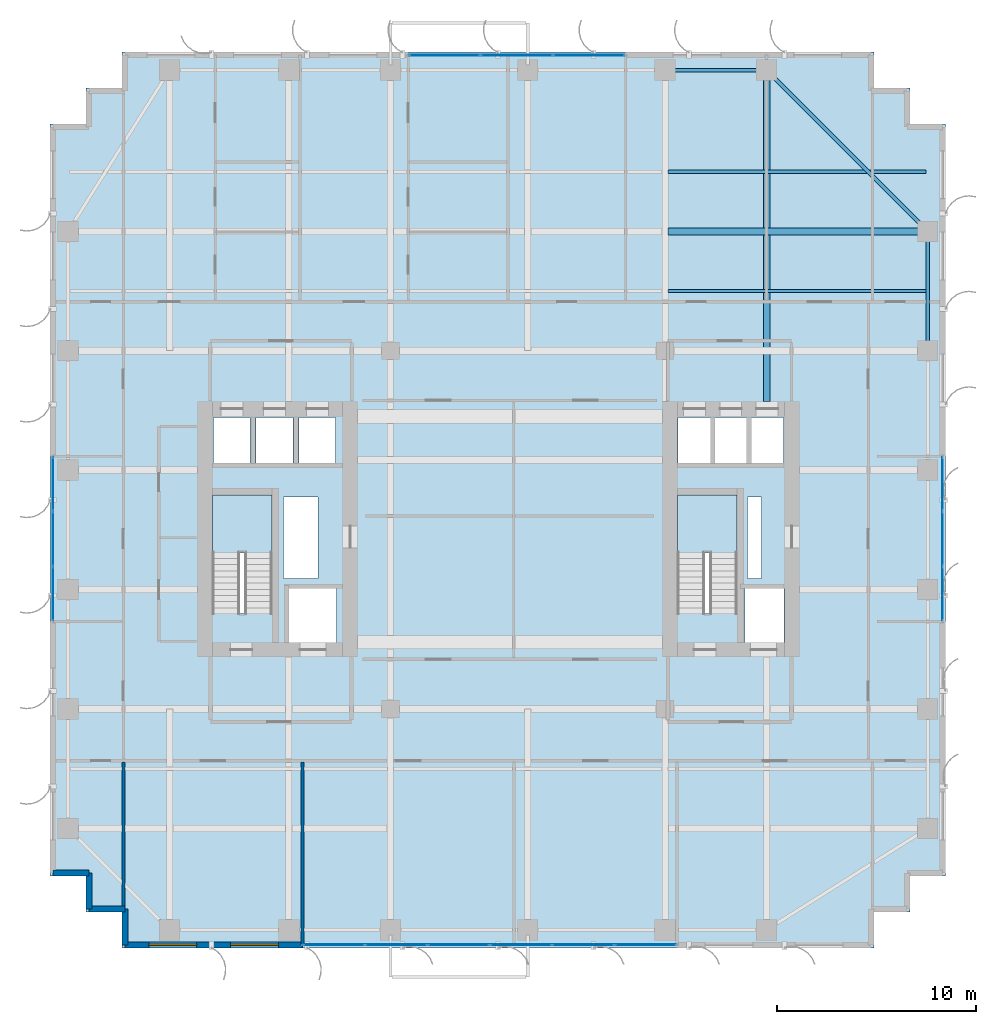
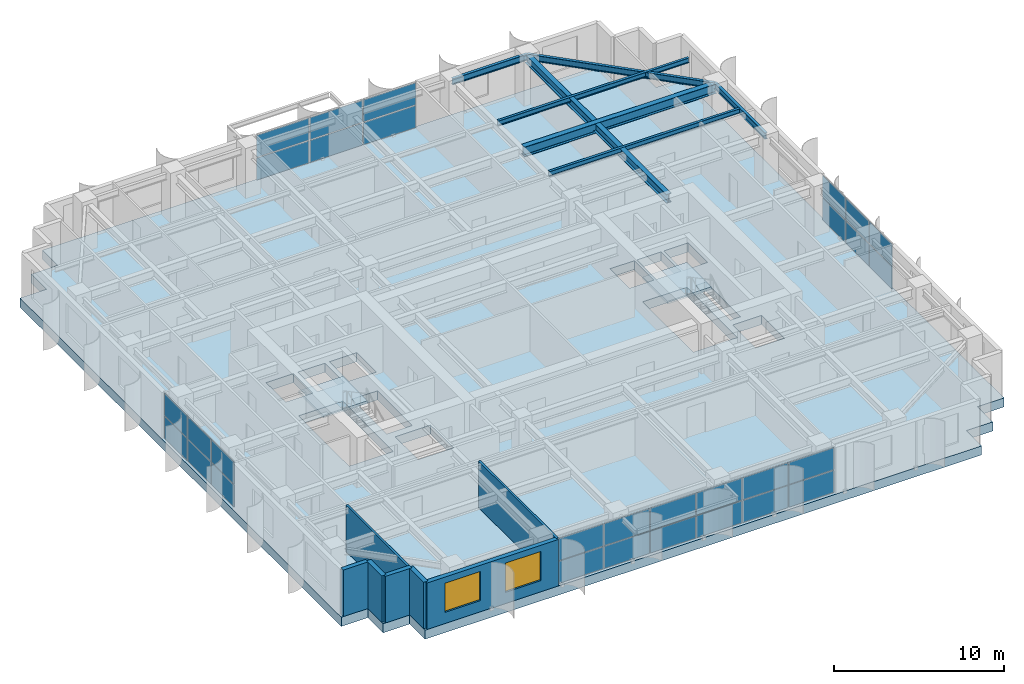
# One storey, part 16 of 23: 30 plates, 7 beams, 7 walls, 3 slabs, 2 windows, 2 openings, 6 elements without a shape of their own.
"""IFC4 building model written with IfcOpenShell, lengths in metres."""

from ifc_helpers import new_model, si_unit, direction, frame, frame_2d, origin, origin_2d, place, context, subcontext, project, spatial, polyline, rectangle, i_section, outline, extrude, source, transform, mapped, material, layer, layer_set, material_profile, profile_set, type_object, element, fill, aggregate, save


model = new_model("IFC4")

# Units and contexts
model_context = context("Model", 3, precision=1e-05, world=origin(), true_north=direction((0.0, 1.0)))
body_context = subcontext(model_context, "Body", "Model", "MODEL_VIEW")
ifc_project = project(units=[si_unit("LENGTHUNIT", "METRE"), si_unit("AREAUNIT", "SQUARE_METRE"), si_unit("VOLUMEUNIT", "CUBIC_METRE"), si_unit("PLANEANGLEUNIT", "RADIAN"), si_unit("MASSUNIT", "GRAM", prefix="KILO")], contexts=[model_context])

# Site, building, storey
site_placement = place(None, origin())
site = spatial("IfcSite", under=ifc_project, at=site_placement, CompositionType="ELEMENT")
building_placement = place(site_placement, origin())
building = spatial("IfcBuilding", under=site, at=building_placement, Name="Khoralis Quay Care Tower", CompositionType="ELEMENT")
storey_placement = place(building_placement, frame((0.0, 0.0, 83.699951171875)))
storey = spatial("IfcBuildingStorey", under=building, at=storey_placement, Name="L21", CompositionType="ELEMENT", Elevation=83.699951171875)

# Beams
ifc_material_1 = material(Name="Steel S355", Category="steel")
ifc_material_profile_1 = material_profile(ifc_material_1, i_section(OverallWidth=0.18994140625, OverallDepth=0.449951171875, WebThickness=0.009521484375, FlangeThickness=0.0146484375, FilletRadius=0.02099609375, at=origin_2d()), Name="Steel S355")
ifc_profile_set_1 = profile_set([ifc_material_profile_1], Name="Steel S355")
beam_type_1 = type_object("IfcBeamType", Name="BM-IPE450", PredefinedType="SPANDREL", material=ifc_profile_set_1)
shared_shape_1 = source(origin(), body_context, "Body", "SweptSolid", [
    extrude(i_section(OverallWidth=0.18994140625, OverallDepth=0.449951171875, WebThickness=0.009521484375, FlangeThickness=0.0146484375, FilletRadius=0.02099609375, at=origin_2d()), origin(), (0.0, 0.0, 1.0), 6.0),
])
beam_1_placement = place(storey_placement, frame((44.10009765625, 30.0, 3.114990234375), z_axis=(0.0, 1.0, 0.0), x_axis=(-1.0, 0.0, 0.0)))
element("IfcBeam", 1, at=beam_1_placement, inside=storey, type_object=beam_type_1, Name="BM-TSP-L21-20", PredefinedType="SPANDREL", context=body_context, shape_type="MappedRepresentation", body=[
    mapped(shared_shape_1, transform((0.0, 0.0, 0.0), scale=1.0)),
])
shared_shape_2 = source(origin(), body_context, "Body", "SweptSolid", [
    extrude(i_section(OverallWidth=0.18994140625, OverallDepth=0.449951171875, WebThickness=0.009521484375, FlangeThickness=0.0146484375, FilletRadius=0.02099609375, at=origin_2d()), origin(), (0.0, 0.0, 1.0), 5.10009765625),
])
beam_2_placement = place(storey_placement, frame((30.89990234375, 44.10009765625, 3.114990234375), z_axis=(1.0, 0.0, 0.0), x_axis=(0.0, 1.0, 0.0)))
element("IfcBeam", 2, at=beam_2_placement, inside=storey, type_object=beam_type_1, Name="BM-TSP-L21-10", PredefinedType="SPANDREL", context=body_context, shape_type="MappedRepresentation", body=[
    mapped(shared_shape_2, transform((0.0, 0.0, 0.0), scale=1.0)),
])
shared_shape_3 = source(origin(), body_context, "Body", "SweptSolid", [
    extrude(i_section(OverallWidth=0.18994140625, OverallDepth=0.449951171875, WebThickness=0.009521484375, FlangeThickness=0.0146484375, FilletRadius=0.02099609375, at=origin_2d()), origin(), (0.0, 0.0, 1.0), 11.455322265625),
])
beam_3_placement = place(storey_placement, frame((36.0, 44.10009765625, 3.114990234375), z_axis=(0.707106781187, -0.707106781187, 0.0), x_axis=(0.707106781187, 0.707106781187, 0.0)))
element("IfcBeam", 3, at=beam_3_placement, inside=storey, type_object=beam_type_1, Name="BM-TCR-L21-24", PredefinedType="SPANDREL", context=body_context, shape_type="MappedRepresentation", body=[
    mapped(shared_shape_3, transform((0.0, 0.0, 0.0), scale=1.0)),
])
ifc_material_profile_2 = material_profile(ifc_material_1, i_section(OverallWidth=0.35498046875, OverallDepth=0.695068359375, WebThickness=0.015380859375, FlangeThickness=0.02490234375, FilletRadius=0.02001953125, at=origin_2d()), Name="Steel S355")
ifc_profile_set_2 = profile_set([ifc_material_profile_2], Name="Steel S355")
beam_type_2 = type_object("IfcBeamType", Name="BM-W690X217", PredefinedType="BEAM", material=ifc_profile_set_2)
shared_shape_4 = source(origin(), body_context, "Body", "SweptSolid", [
    extrude(i_section(OverallWidth=0.35498046875, OverallDepth=0.695068359375, WebThickness=0.015380859375, FlangeThickness=0.02490234375, FilletRadius=0.02001953125, at=origin_2d()), origin(), (0.0, 0.0, 1.0), 13.049560546875),
])
beam_4_placement = place(storey_placement, frame((31.050537109375, 36.0, 2.992431640625), z_axis=(1.0, 0.0, 0.0), x_axis=(0.0, 1.0, 0.0)))
element("IfcBeam", 4, at=beam_4_placement, inside=storey, type_object=beam_type_2, Name="BM-TGXE-L21-360", PredefinedType="BEAM", context=body_context, shape_type="MappedRepresentation", body=[
    mapped(shared_shape_4, transform((0.0, 0.0, 0.0), scale=1.0)),
])
ifc_material_profile_3 = material_profile(ifc_material_1, i_section(OverallWidth=0.324951171875, OverallDepth=0.615966796875, WebThickness=0.013916015625, FlangeThickness=0.021484375, FilletRadius=0.01806640625, at=origin_2d()), Name="Steel S355")
ifc_profile_set_3 = profile_set([ifc_material_profile_3], Name="Steel S355")
beam_type_3 = type_object("IfcBeamType", Name="BM-W610X174", PredefinedType="BEAM", material=ifc_profile_set_3)
shared_shape_5 = source(origin(), body_context, "Body", "SweptSolid", [
    extrude(i_section(OverallWidth=0.324951171875, OverallDepth=0.615966796875, WebThickness=0.013916015625, FlangeThickness=0.021484375, FilletRadius=0.01806640625, at=origin_2d()), origin(), (0.0, 0.0, 1.0), 16.652099609375),
])
beam_5_placement = place(storey_placement, frame((36.0, 27.447998046875, 3.031982421875), z_axis=(0.0, 1.0, 0.0), x_axis=(-1.0, 0.0, 0.0)))
element("IfcBeam", 5, at=beam_5_placement, inside=storey, type_object=beam_type_3, Name="BM-TGYN-L21-360", PredefinedType="BEAM", context=body_context, shape_type="MappedRepresentation", body=[
    mapped(shared_shape_5, transform((0.0, 0.0, 0.0), scale=1.0)),
])
ifc_material_profile_4 = material_profile(ifc_material_1, i_section(OverallWidth=0.1708984375, OverallDepth=0.35498046875, WebThickness=0.007080078125, FlangeThickness=0.01171875, FilletRadius=0.012939453125, at=origin_2d()), Name="Steel S355")
ifc_profile_set_4 = profile_set([ifc_material_profile_4], Name="Steel S355")
beam_type_4 = type_object("IfcBeamType", Name="BM-W360X51", PredefinedType="JOIST", material=ifc_profile_set_4)
shared_shape_6 = source(origin(), body_context, "Body", "SweptSolid", [
    extrude(i_section(OverallWidth=0.1708984375, OverallDepth=0.35498046875, WebThickness=0.007080078125, FlangeThickness=0.01171875, FilletRadius=0.012939453125, at=origin_2d()), origin(), (0.0, 0.0, 1.0), 12.968505859375),
])
for number, where, z_axis, x_axis, name in (
    (6, (31.050537109375, 33.0, 3.16259765625), (1.0, 0.0, 0.0), (0.0, 1.0, 0.0), "BM-TJS-L21-29"),
    (7, (31.050537109375, 39.0, 3.16259765625), (1.0, 0.0, 0.0), (0.0, 1.0, 0.0), "BM-TJS-L21-32"),
):
    element("IfcBeam", number, at=place(storey_placement, frame(where, z_axis=z_axis, x_axis=x_axis)), inside=storey, type_object=beam_type_4, Name=name, PredefinedType="JOIST", context=body_context, shape_type="MappedRepresentation", body=[
        mapped(shared_shape_6, transform((0.0, 0.0, 0.0), scale=1.0)),
    ])

# Stair, slab
ifc_material_2 = material(Name="Precast concrete C45/55", Category="concrete")
stair_type = type_object("IfcStairType", Name="ST-TWR-DOGLEG-1400", PredefinedType="HALF_TURN_STAIR", material=ifc_material_2)
stair_1_placement = place(storey_placement, origin())
stair_1 = element("IfcStair", 8, at=stair_1_placement, inside=storey, type_object=stair_type, Name="L21 West Core Exit Stair ST-T1", PredefinedType="HALF_TURN_STAIR")
ifc_layer_1 = layer(ifc_material_2, 0.199951171875)
ifc_layer_set_1 = layer_set([ifc_layer_1], Name="Precast concrete C45/55")
slab_type_1 = type_object("IfcSlabType", Name="SLB-LANDING-200", PredefinedType="LANDING", material=ifc_layer_set_1)
slab_1_placement = place(storey_placement, frame((0.0, 0.0, 1.60009765625)))
slab_1 = element("IfcSlab", 9, at=slab_1_placement, type_object=slab_type_1, Name="ST-T1 landing 1", PredefinedType="LANDING", context=body_context, shape_type="SweptSolid", body=[
    extrude(outline(polyline([(11.14990234375, 19.840087890625), (11.14990234375, 22.75), (8.14990234375, 22.75), (8.14990234375, 19.840087890625), (11.14990234375, 19.840087890625)])), origin(), (0.0, 0.0, 1.0), 0.199951171875),
])
aggregate(stair_1, [slab_1])

stair_2_placement = place(storey_placement, origin())
stair_2 = element("IfcStair", 10, at=stair_2_placement, inside=storey, type_object=stair_type, Name="L21 East Core Exit Stair ST-T2", PredefinedType="HALF_TURN_STAIR")
slab_2_placement = place(storey_placement, frame((0.0, 0.0, 1.60009765625)))
slab_2 = element("IfcSlab", 11, at=slab_2_placement, type_object=slab_type_1, Name="ST-T2 landing 1", PredefinedType="LANDING", context=body_context, shape_type="SweptSolid", body=[
    extrude(outline(polyline([(34.52001953125, 19.840087890625), (34.52001953125, 22.75), (31.52001953125, 22.75), (31.52001953125, 19.840087890625), (34.52001953125, 19.840087890625)])), origin(), (0.0, 0.0, 1.0), 0.199951171875),
])
aggregate(stair_2, [slab_2])

# Slab
ifc_material_3 = material(Name="Concrete C65/80", Category="concrete")
ifc_layer_2 = layer(ifc_material_3, 0.64990234375)
ifc_layer_set_2 = layer_set([ifc_layer_2], Name="Concrete C65/80")
slab_type_2 = type_object("IfcSlabType", Name="SLB-TRANS-650", PredefinedType="FLOOR", material=ifc_layer_set_2)
slab_3_placement = place(storey_placement, frame((0.0, 0.0, -0.64990234375)))
element("IfcSlab", 12, at=slab_3_placement, inside=storey, type_object=slab_type_2, Name="Tower Floor Slab L21", PredefinedType="FLOOR", context=body_context, shape_type="SweptSolid", body=[
    extrude(outline(polyline([(3.60009765625, 0.0), (41.39990234375, 0.0), (41.39990234375, 1.800048828125), (43.199951171875, 1.800048828125), (43.199951171875, 3.60009765625), (45.0, 3.60009765625), (45.0, 41.39990234375), (43.199951171875, 41.39990234375), (43.199951171875, 43.199951171875), (41.39990234375, 43.199951171875), (41.39990234375, 45.0), (3.60009765625, 45.0), (3.60009765625, 43.199951171875), (1.800048828125, 43.199951171875), (1.800048828125, 41.39990234375), (0.0, 41.39990234375), (0.0, 3.60009765625), (1.800048828125, 3.60009765625), (1.800048828125, 1.800048828125), (3.60009765625, 1.800048828125), (3.60009765625, 0.0)]), holes=[polyline([(11.14990234375, 16.800048828125), (11.14990234375, 22.75), (8.14990234375, 22.75), (8.14990234375, 16.800048828125), (11.14990234375, 16.800048828125)]), polyline([(34.52001953125, 16.800048828125), (34.52001953125, 22.75), (31.52001953125, 22.75), (31.52001953125, 16.800048828125), (34.52001953125, 16.800048828125)]), polyline([(12.0, 15.35009765625), (14.39990234375, 15.35009765625), (14.39990234375, 18.050048828125), (12.0, 18.050048828125), (12.0, 15.35009765625)]), polyline([(34.919921875, 15.35009765625), (36.8798828125, 15.35009765625), (36.8798828125, 18.050048828125), (34.919921875, 18.050048828125), (34.919921875, 15.35009765625)]), polyline([(8.199951171875, 24.35009765625), (10.050048828125, 24.35009765625), (10.050048828125, 26.64990234375), (8.199951171875, 26.64990234375), (8.199951171875, 24.35009765625)]), polyline([(31.550048828125, 24.35009765625), (33.199951171875, 24.35009765625), (33.199951171875, 26.64990234375), (31.550048828125, 26.64990234375), (31.550048828125, 24.35009765625)]), polyline([(10.35009765625, 24.35009765625), (12.199951171875, 24.35009765625), (12.199951171875, 26.64990234375), (10.35009765625, 26.64990234375), (10.35009765625, 24.35009765625)]), polyline([(33.3798828125, 24.35009765625), (35.030029296875, 24.35009765625), (35.030029296875, 26.64990234375), (33.3798828125, 26.64990234375), (33.3798828125, 24.35009765625)]), polyline([(12.5, 24.35009765625), (14.35009765625, 24.35009765625), (14.35009765625, 26.64990234375), (12.5, 26.64990234375), (12.5, 24.35009765625)]), polyline([(35.199951171875, 24.35009765625), (36.85009765625, 24.35009765625), (36.85009765625, 26.64990234375), (35.199951171875, 26.64990234375), (35.199951171875, 24.35009765625)]), polyline([(11.719970703125, 18.550048828125), (13.449951171875, 18.550048828125), (13.449951171875, 22.64990234375), (11.719970703125, 22.64990234375), (11.719970703125, 18.550048828125)]), polyline([(35.050048828125, 18.550048828125), (35.75, 18.550048828125), (35.75, 22.64990234375), (35.050048828125, 22.64990234375), (35.050048828125, 18.550048828125)])]), origin(), (0.0, 0.0, 1.0), 0.64990234375),
])

# Curtain wall, plates
ifc_material_4 = material(Name="Pale anodised aluminium", Category="aluminium")
ifc_layer_3 = layer(ifc_material_4, 0.169921875)
ifc_layer_set_3 = layer_set([ifc_layer_3], Name="Pale anodised aluminium")
curtain_wall_type = type_object("IfcCurtainWallType", Name="CW-SYS-Z2", PredefinedType="NOTDEFINED", material=ifc_layer_set_3)
curtain_wall_1_placement = place(storey_placement, origin())
curtain_wall_1 = element("IfcCurtainWall", 13, at=curtain_wall_1_placement, inside=storey, type_object=curtain_wall_type, Name="L21 Unitised Curtain Wall CW-L21-P1-E0", PredefinedType="NOTDEFINED")
ifc_material_5 = material(Name="Low-E solar-control double glazing", Category="glass")
ifc_layer_4 = layer(ifc_material_5, 0.031982421875)
ifc_layer_set_4 = layer_set([ifc_layer_4], Name="Low-E solar-control double glazing")
plate_type = type_object("IfcPlateType", Name="PNL-VIS-32", PredefinedType="CURTAIN_PANEL", material=ifc_layer_set_4)
shared_shape_7 = source(origin(), body_context, "Body", "SweptSolid", [
    extrude(rectangle(XDim=3.046630859375, YDim=0.028076171875, at=origin_2d()), origin(), (0.0, 0.0, 1.0), 1.580078125),
])
plate_1_placement = place(storey_placement, frame((14.263427734375, 0.14990234375, 0.06005859375), z_axis=(0.0, 0.0, 1.0), x_axis=(1.0, 0.0, 0.0)))
plate_1 = element("IfcPlate", 14, at=plate_1_placement, type_object=plate_type, Name="CW2 panel 1.1", PredefinedType="CURTAIN_PANEL", context=body_context, shape_type="MappedRepresentation", body=[
    mapped(shared_shape_7, transform((0.0, 0.0, 0.0), scale=1.0)),
])
plate_2_placement = place(storey_placement, frame((14.263427734375, 0.14990234375, 1.699951171875), z_axis=(0.0, 0.0, 1.0), x_axis=(1.0, 0.0, 0.0)))
plate_2 = element("IfcPlate", 15, at=plate_2_placement, type_object=plate_type, Name="CW2 panel 1.2", PredefinedType="CURTAIN_PANEL", context=body_context, shape_type="MappedRepresentation", body=[
    mapped(shared_shape_7, transform((0.0, 0.0, 0.0), scale=1.0)),
])
plate_3_placement = place(storey_placement, frame((29.916748046875, 0.14990234375, 0.06005859375), z_axis=(0.0, 0.0, 1.0), x_axis=(1.0, 0.0, 0.0)))
plate_3 = element("IfcPlate", 16, at=plate_3_placement, type_object=plate_type, Name="CW2 panel 6.1", PredefinedType="CURTAIN_PANEL", context=body_context, shape_type="MappedRepresentation", body=[
    mapped(shared_shape_7, transform((0.0, 0.0, 0.0), scale=1.0)),
])
plate_4_placement = place(storey_placement, frame((29.916748046875, 0.14990234375, 1.699951171875), z_axis=(0.0, 0.0, 1.0), x_axis=(1.0, 0.0, 0.0)))
plate_4 = element("IfcPlate", 17, at=plate_4_placement, type_object=plate_type, Name="CW2 panel 6.2", PredefinedType="CURTAIN_PANEL", context=body_context, shape_type="MappedRepresentation", body=[
    mapped(shared_shape_7, transform((0.0, 0.0, 0.0), scale=1.0)),
])
shared_shape_8 = source(origin(), body_context, "Body", "SweptSolid", [
    extrude(rectangle(XDim=3.07666015625, YDim=0.028076171875, at=origin_2d()), origin(), (0.0, 0.0, 1.0), 1.580078125),
])
plate_5_placement = place(storey_placement, frame((17.385009765625, 0.14990234375, 0.06005859375), z_axis=(0.0, 0.0, 1.0), x_axis=(1.0, 0.0, 0.0)))
plate_5 = element("IfcPlate", 18, at=plate_5_placement, type_object=plate_type, Name="CW2 panel 2.1", PredefinedType="CURTAIN_PANEL", context=body_context, shape_type="MappedRepresentation", body=[
    mapped(shared_shape_8, transform((0.0, 0.0, 0.0), scale=1.0)),
])
plate_6_placement = place(storey_placement, frame((17.385009765625, 0.14990234375, 1.699951171875), z_axis=(0.0, 0.0, 1.0), x_axis=(1.0, 0.0, 0.0)))
plate_6 = element("IfcPlate", 19, at=plate_6_placement, type_object=plate_type, Name="CW2 panel 2.2", PredefinedType="CURTAIN_PANEL", context=body_context, shape_type="MappedRepresentation", body=[
    mapped(shared_shape_8, transform((0.0, 0.0, 0.0), scale=1.0)),
])
plate_7_placement = place(storey_placement, frame((20.521728515625, 0.14990234375, 0.06005859375), z_axis=(0.0, 0.0, 1.0), x_axis=(1.0, 0.0, 0.0)))
plate_7 = element("IfcPlate", 20, at=plate_7_placement, type_object=plate_type, Name="CW2 panel 3.1", PredefinedType="CURTAIN_PANEL", context=body_context, shape_type="MappedRepresentation", body=[
    mapped(shared_shape_8, transform((0.0, 0.0, 0.0), scale=1.0)),
])
plate_8_placement = place(storey_placement, frame((20.521728515625, 0.14990234375, 1.699951171875), z_axis=(0.0, 0.0, 1.0), x_axis=(1.0, 0.0, 0.0)))
plate_8 = element("IfcPlate", 21, at=plate_8_placement, type_object=plate_type, Name="CW2 panel 3.2", PredefinedType="CURTAIN_PANEL", context=body_context, shape_type="MappedRepresentation", body=[
    mapped(shared_shape_8, transform((0.0, 0.0, 0.0), scale=1.0)),
])
plate_9_placement = place(storey_placement, frame((23.658447265625, 0.14990234375, 0.06005859375), z_axis=(0.0, 0.0, 1.0), x_axis=(1.0, 0.0, 0.0)))
plate_9 = element("IfcPlate", 22, at=plate_9_placement, type_object=plate_type, Name="CW2 panel 4.1", PredefinedType="CURTAIN_PANEL", context=body_context, shape_type="MappedRepresentation", body=[
    mapped(shared_shape_8, transform((0.0, 0.0, 0.0), scale=1.0)),
])
plate_10_placement = place(storey_placement, frame((23.658447265625, 0.14990234375, 1.699951171875), z_axis=(0.0, 0.0, 1.0), x_axis=(1.0, 0.0, 0.0)))
plate_10 = element("IfcPlate", 23, at=plate_10_placement, type_object=plate_type, Name="CW2 panel 4.2", PredefinedType="CURTAIN_PANEL", context=body_context, shape_type="MappedRepresentation", body=[
    mapped(shared_shape_8, transform((0.0, 0.0, 0.0), scale=1.0)),
])
plate_11_placement = place(storey_placement, frame((26.794921875, 0.14990234375, 0.06005859375), z_axis=(0.0, 0.0, 1.0), x_axis=(1.0, 0.0, 0.0)))
plate_11 = element("IfcPlate", 24, at=plate_11_placement, type_object=plate_type, Name="CW2 panel 5.1", PredefinedType="CURTAIN_PANEL", context=body_context, shape_type="MappedRepresentation", body=[
    mapped(shared_shape_8, transform((0.0, 0.0, 0.0), scale=1.0)),
])
plate_12_placement = place(storey_placement, frame((26.794921875, 0.14990234375, 1.699951171875), z_axis=(0.0, 0.0, 1.0), x_axis=(1.0, 0.0, 0.0)))
plate_12 = element("IfcPlate", 25, at=plate_12_placement, type_object=plate_type, Name="CW2 panel 5.2", PredefinedType="CURTAIN_PANEL", context=body_context, shape_type="MappedRepresentation", body=[
    mapped(shared_shape_8, transform((0.0, 0.0, 0.0), scale=1.0)),
])
aggregate(curtain_wall_1, [plate_1, plate_2, plate_5, plate_6, plate_7, plate_8, plate_9, plate_10, plate_11, plate_12, plate_3, plate_4])

curtain_wall_2_placement = place(storey_placement, origin())
curtain_wall_2 = element("IfcCurtainWall", 26, at=curtain_wall_2_placement, inside=storey, type_object=curtain_wall_type, Name="L21 Unitised Curtain Wall CW-L21-P1-E5", PredefinedType="NOTDEFINED")
shared_shape_9 = source(origin(), body_context, "Body", "SweptSolid", [
    extrude(rectangle(XDim=2.6767578125, YDim=0.028076171875, at=origin_2d()), origin(), (0.0, 0.0, 1.0), 1.580078125),
])
plate_13_placement = place(storey_placement, frame((44.85009765625, 17.79833984375, 0.06005859375), z_axis=(0.0, 0.0, 1.0), x_axis=(0.0, 1.0, 0.0)))
plate_13 = element("IfcPlate", 27, at=plate_13_placement, type_object=plate_type, Name="CW2 panel 1.1", PredefinedType="CURTAIN_PANEL", context=body_context, shape_type="MappedRepresentation", body=[
    mapped(shared_shape_9, transform((0.0, 0.0, 0.0), scale=1.0)),
])
plate_14_placement = place(storey_placement, frame((44.85009765625, 17.79833984375, 1.699951171875), z_axis=(0.0, 0.0, 1.0), x_axis=(0.0, 1.0, 0.0)))
plate_14 = element("IfcPlate", 28, at=plate_14_placement, type_object=plate_type, Name="CW2 panel 1.2", PredefinedType="CURTAIN_PANEL", context=body_context, shape_type="MappedRepresentation", body=[
    mapped(shared_shape_9, transform((0.0, 0.0, 0.0), scale=1.0)),
])
plate_15_placement = place(storey_placement, frame((44.85009765625, 23.3017578125, 0.06005859375), z_axis=(0.0, 0.0, 1.0), x_axis=(0.0, 1.0, 0.0)))
plate_15 = element("IfcPlate", 29, at=plate_15_placement, type_object=plate_type, Name="CW2 panel 3.1", PredefinedType="CURTAIN_PANEL", context=body_context, shape_type="MappedRepresentation", body=[
    mapped(shared_shape_9, transform((0.0, 0.0, 0.0), scale=1.0)),
])
plate_16_placement = place(storey_placement, frame((44.85009765625, 23.3017578125, 1.699951171875), z_axis=(0.0, 0.0, 1.0), x_axis=(0.0, 1.0, 0.0)))
plate_16 = element("IfcPlate", 30, at=plate_16_placement, type_object=plate_type, Name="CW2 panel 3.2", PredefinedType="CURTAIN_PANEL", context=body_context, shape_type="MappedRepresentation", body=[
    mapped(shared_shape_9, transform((0.0, 0.0, 0.0), scale=1.0)),
])

curtain_wall_3_placement = place(storey_placement, origin())
curtain_wall_3 = element("IfcCurtainWall", 31, at=curtain_wall_3_placement, inside=storey, type_object=curtain_wall_type, Name="L21 Unitised Curtain Wall CW-L21-P1-E15", PredefinedType="NOTDEFINED")
plate_17_placement = place(storey_placement, frame((0.14990234375, 23.3017578125, 0.06005859375), z_axis=(0.0, 0.0, 1.0), x_axis=(0.0, -1.0, 0.0)))
plate_17 = element("IfcPlate", 32, at=plate_17_placement, type_object=plate_type, Name="CW2 panel 1.1", PredefinedType="CURTAIN_PANEL", context=body_context, shape_type="MappedRepresentation", body=[
    mapped(shared_shape_9, transform((0.0, 0.0, 0.0), scale=1.0)),
])
plate_18_placement = place(storey_placement, frame((0.14990234375, 23.3017578125, 1.699951171875), z_axis=(0.0, 0.0, 1.0), x_axis=(0.0, -1.0, 0.0)))
plate_18 = element("IfcPlate", 33, at=plate_18_placement, type_object=plate_type, Name="CW2 panel 1.2", PredefinedType="CURTAIN_PANEL", context=body_context, shape_type="MappedRepresentation", body=[
    mapped(shared_shape_9, transform((0.0, 0.0, 0.0), scale=1.0)),
])
plate_19_placement = place(storey_placement, frame((0.14990234375, 17.79833984375, 0.06005859375), z_axis=(0.0, 0.0, 1.0), x_axis=(0.0, -1.0, 0.0)))
plate_19 = element("IfcPlate", 34, at=plate_19_placement, type_object=plate_type, Name="CW2 panel 3.1", PredefinedType="CURTAIN_PANEL", context=body_context, shape_type="MappedRepresentation", body=[
    mapped(shared_shape_9, transform((0.0, 0.0, 0.0), scale=1.0)),
])
plate_20_placement = place(storey_placement, frame((0.14990234375, 17.79833984375, 1.699951171875), z_axis=(0.0, 0.0, 1.0), x_axis=(0.0, -1.0, 0.0)))
plate_20 = element("IfcPlate", 35, at=plate_20_placement, type_object=plate_type, Name="CW2 panel 3.2", PredefinedType="CURTAIN_PANEL", context=body_context, shape_type="MappedRepresentation", body=[
    mapped(shared_shape_9, transform((0.0, 0.0, 0.0), scale=1.0)),
])

# Plate
shared_shape_10 = source(origin(), body_context, "Body", "SweptSolid", [
    extrude(rectangle(XDim=2.706787109375, YDim=0.028076171875, at=origin_2d()), origin(), (0.0, 0.0, 1.0), 1.580078125),
])
plate_21_placement = place(storey_placement, frame((44.85009765625, 20.550048828125, 0.06005859375), z_axis=(0.0, 0.0, 1.0), x_axis=(0.0, 1.0, 0.0)))
plate_21 = element("IfcPlate", 36, at=plate_21_placement, type_object=plate_type, Name="CW2 panel 2.1", PredefinedType="CURTAIN_PANEL", context=body_context, shape_type="MappedRepresentation", body=[
    mapped(shared_shape_10, transform((0.0, 0.0, 0.0), scale=1.0)),
])

plate_22_placement = place(storey_placement, frame((44.85009765625, 20.550048828125, 1.699951171875), z_axis=(0.0, 0.0, 1.0), x_axis=(0.0, 1.0, 0.0)))
plate_22 = element("IfcPlate", 37, at=plate_22_placement, type_object=plate_type, Name="CW2 panel 2.2", PredefinedType="CURTAIN_PANEL", context=body_context, shape_type="MappedRepresentation", body=[
    mapped(shared_shape_10, transform((0.0, 0.0, 0.0), scale=1.0)),
])

aggregate(curtain_wall_2, [plate_13, plate_14, plate_21, plate_22, plate_15, plate_16])

plate_23_placement = place(storey_placement, frame((0.14990234375, 20.550048828125, 0.06005859375), z_axis=(0.0, 0.0, 1.0), x_axis=(0.0, -1.0, 0.0)))
plate_23 = element("IfcPlate", 38, at=plate_23_placement, type_object=plate_type, Name="CW2 panel 2.1", PredefinedType="CURTAIN_PANEL", context=body_context, shape_type="MappedRepresentation", body=[
    mapped(shared_shape_10, transform((0.0, 0.0, 0.0), scale=1.0)),
])

plate_24_placement = place(storey_placement, frame((0.14990234375, 20.550048828125, 1.699951171875), z_axis=(0.0, 0.0, 1.0), x_axis=(0.0, -1.0, 0.0)))
plate_24 = element("IfcPlate", 39, at=plate_24_placement, type_object=plate_type, Name="CW2 panel 2.2", PredefinedType="CURTAIN_PANEL", context=body_context, shape_type="MappedRepresentation", body=[
    mapped(shared_shape_10, transform((0.0, 0.0, 0.0), scale=1.0)),
])

aggregate(curtain_wall_3, [plate_17, plate_18, plate_23, plate_24, plate_19, plate_20])

# Curtain wall, plates
curtain_wall_4_placement = place(storey_placement, origin())
curtain_wall_4 = element("IfcCurtainWall", 40, at=curtain_wall_4_placement, inside=storey, type_object=curtain_wall_type, Name="L21 Unitised Curtain Wall CW-L21-P1-E10", PredefinedType="NOTDEFINED")
shared_shape_11 = source(origin(), body_context, "Body", "SweptSolid", [
    extrude(rectangle(XDim=3.5537109375, YDim=0.028076171875, at=origin_2d()), origin(), (0.0, 0.0, 1.0), 1.580078125),
])
plate_25_placement = place(storey_placement, frame((27.083251953125, 44.85009765625, 0.06005859375), z_axis=(0.0, 0.0, 1.0), x_axis=(-1.0, 0.0, 0.0)))
plate_25 = element("IfcPlate", 41, at=plate_25_placement, type_object=plate_type, Name="CW2 panel 1.1", PredefinedType="CURTAIN_PANEL", context=body_context, shape_type="MappedRepresentation", body=[
    mapped(shared_shape_11, transform((0.0, 0.0, 0.0), scale=1.0)),
])
plate_26_placement = place(storey_placement, frame((27.083251953125, 44.85009765625, 1.699951171875), z_axis=(0.0, 0.0, 1.0), x_axis=(-1.0, 0.0, 0.0)))
plate_26 = element("IfcPlate", 42, at=plate_26_placement, type_object=plate_type, Name="CW2 panel 1.2", PredefinedType="CURTAIN_PANEL", context=body_context, shape_type="MappedRepresentation", body=[
    mapped(shared_shape_11, transform((0.0, 0.0, 0.0), scale=1.0)),
])
plate_27_placement = place(storey_placement, frame((19.825927734375, 44.85009765625, 0.06005859375), z_axis=(0.0, 0.0, 1.0), x_axis=(-1.0, 0.0, 0.0)))
plate_27 = element("IfcPlate", 43, at=plate_27_placement, type_object=plate_type, Name="CW2 panel 3.1", PredefinedType="CURTAIN_PANEL", context=body_context, shape_type="MappedRepresentation", body=[
    mapped(shared_shape_11, transform((0.0, 0.0, 0.0), scale=1.0)),
])
plate_28_placement = place(storey_placement, frame((19.825927734375, 44.85009765625, 1.699951171875), z_axis=(0.0, 0.0, 1.0), x_axis=(-1.0, 0.0, 0.0)))
plate_28 = element("IfcPlate", 44, at=plate_28_placement, type_object=plate_type, Name="CW2 panel 3.2", PredefinedType="CURTAIN_PANEL", context=body_context, shape_type="MappedRepresentation", body=[
    mapped(shared_shape_11, transform((0.0, 0.0, 0.0), scale=1.0)),
])
shared_shape_12 = source(origin(), body_context, "Body", "SweptSolid", [
    extrude(rectangle(XDim=3.583740234375, YDim=0.028076171875, at=origin_2d()), origin(), (0.0, 0.0, 1.0), 1.580078125),
])
plate_29_placement = place(storey_placement, frame((23.45458984375, 44.85009765625, 0.06005859375), z_axis=(0.0, 0.0, 1.0), x_axis=(-1.0, 0.0, 0.0)))
plate_29 = element("IfcPlate", 45, at=plate_29_placement, type_object=plate_type, Name="CW2 panel 2.1", PredefinedType="CURTAIN_PANEL", context=body_context, shape_type="MappedRepresentation", body=[
    mapped(shared_shape_12, transform((0.0, 0.0, 0.0), scale=1.0)),
])
plate_30_placement = place(storey_placement, frame((23.45458984375, 44.85009765625, 1.699951171875), z_axis=(0.0, 0.0, 1.0), x_axis=(-1.0, 0.0, 0.0)))
plate_30 = element("IfcPlate", 46, at=plate_30_placement, type_object=plate_type, Name="CW2 panel 2.2", PredefinedType="CURTAIN_PANEL", context=body_context, shape_type="MappedRepresentation", body=[
    mapped(shared_shape_12, transform((0.0, 0.0, 0.0), scale=1.0)),
])
aggregate(curtain_wall_4, [plate_25, plate_26, plate_29, plate_30, plate_27, plate_28])

# Wall, openings, windows
ifc_layer_5 = layer(ifc_material_2, 0.300048828125)
ifc_layer_set_5 = layer_set([ifc_layer_5], Name="Precast concrete C45/55")
wall_type_1 = type_object("IfcWallType", Name="WL-EXT-REF-300", PredefinedType="SOLIDWALL", material=ifc_layer_set_5)
wall_1_placement = place(storey_placement, frame((3.75, 0.14990234375, 0.0), z_axis=(0.0, 0.0, 1.0), x_axis=(1.0, 0.0, 0.0)))
wall_1 = element("IfcWall", 47, at=wall_1_placement, inside=storey, type_object=wall_type_1, Name="L21 External Facade Wall WL-EXT-L21-P1-E0A", PredefinedType="SOLIDWALL", context=body_context, shape_type="SweptSolid", body=[
    extrude(rectangle(XDim=8.929931640625, YDim=0.300048828125, at=frame_2d((4.46484375, 0.0))), origin(), (0.0, 0.0, 1.0), 3.340087890625),
])
opening_1_placement = place(wall_1_placement, frame((1.21240234375, 0.0, 0.800048828125)))
opening_1 = element("IfcOpeningElement", 48, at=opening_1_placement, cuts=wall_1, Name="Opening W1", PredefinedType="OPENING", context=body_context, shape_type="SweptSolid", body=[
    extrude(rectangle(XDim=2.39990234375, YDim=2.10009765625, at=frame_2d((1.199951171875, 1.050048828125))), frame((0.0, 0.16015625, 0.0), z_axis=(0.0, -1.0, 0.0), x_axis=(1.0, 0.0, 0.0)), (0.0, 0.0, 1.0), 0.320068359375),
])
opening_2_placement = place(wall_1_placement, frame((5.3173828125, 0.0, 0.800048828125)))
opening_2 = element("IfcOpeningElement", 49, at=opening_2_placement, cuts=wall_1, Name="Opening W1", PredefinedType="OPENING", context=body_context, shape_type="SweptSolid", body=[
    extrude(rectangle(XDim=2.39990234375, YDim=2.10009765625, at=frame_2d((1.199951171875, 1.050048828125))), frame((0.0, 0.16015625, 0.0), z_axis=(0.0, -1.0, 0.0), x_axis=(1.0, 0.0, 0.0)), (0.0, 0.0, 1.0), 0.320068359375),
])
window_type = type_object("IfcWindowType", Name="WN-POD-2400X2100", PartitioningType="SINGLE_PANEL", PredefinedType="WINDOW", material=ifc_material_5)
shared_shape_13 = source(origin(), body_context, "Body", "SweptSolid", [
    extrude(rectangle(XDim=2.39990234375, YDim=2.10009765625, at=frame_2d((1.199951171875, 1.050048828125))), frame((0.0, 0.030029296875, 0.0), z_axis=(0.0, -1.0, 0.0), x_axis=(1.0, 0.0, 0.0)), (0.0, 0.0, 1.0), 0.06005859375),
])
window_1_placement = place(opening_1_placement, origin())
window_1 = element("IfcWindow", 50, at=window_1_placement, inside=storey, type_object=window_type, Name="WN-L21-P1-E0A Facade Window 01", OverallHeight=2.10009765625, OverallWidth=2.39990234375, PartitioningType="SINGLE_PANEL", PredefinedType="WINDOW", context=body_context, shape_type="MappedRepresentation", body=[
    mapped(shared_shape_13, transform((0.0, 0.0, 0.0), scale=1.0)),
])
fill(opening_1, window_1)
window_2_placement = place(opening_2_placement, origin())
window_2 = element("IfcWindow", 51, at=window_2_placement, inside=storey, type_object=window_type, Name="WN-L21-P1-E0A Facade Window 02", OverallHeight=2.10009765625, OverallWidth=2.39990234375, PartitioningType="SINGLE_PANEL", PredefinedType="WINDOW", context=body_context, shape_type="MappedRepresentation", body=[
    mapped(shared_shape_13, transform((0.0, 0.0, 0.0), scale=1.0)),
])
fill(opening_2, window_2)

# Walls
for number, where, z_axis, x_axis, name in (
    (52, (0.14990234375, 3.75, 0.0), (0.0, 0.0, 1.0), (1.0, 0.0, 0.0), "L21 External Facade Wall WL-EXT-L21-P1-C16"),
    (53, (1.949951171875, 3.75, 0.0), (0.0, 0.0, 1.0), (0.0, -1.0, 0.0), "L21 External Facade Wall WL-EXT-L21-P1-C17"),
    (54, (1.949951171875, 1.949951171875, 0.0), (0.0, 0.0, 1.0), (1.0, 0.0, 0.0), "L21 External Facade Wall WL-EXT-L21-P1-C18"),
    (55, (3.75, 1.949951171875, 0.0), (0.0, 0.0, 1.0), (0.0, -1.0, 0.0), "L21 External Facade Wall WL-EXT-L21-P1-C19"),
):
    element("IfcWall", number, at=place(storey_placement, frame(where, z_axis=z_axis, x_axis=x_axis)), inside=storey, type_object=wall_type_1, Name=name, PredefinedType="SOLIDWALL", context=body_context, shape_type="SweptSolid", body=[
        extrude(rectangle(XDim=1.800048828125, YDim=0.300048828125, at=frame_2d((0.89990234375, 0.0))), origin(), (0.0, 0.0, 1.0), 3.340087890625),
    ])
ifc_material_6 = material(Name="Gypsum plasterboard on acoustic metal stud")
ifc_layer_6 = layer(ifc_material_6, 0.139892578125)
ifc_layer_set_6 = layer_set([ifc_layer_6], Name="Gypsum plasterboard on acoustic metal stud")
wall_type_2 = type_object("IfcWallType", Name="WL-UNIT-140", PredefinedType="PARTITIONING", material=ifc_layer_set_6)
wall_2_placement = place(storey_placement, frame((3.679931640625, 1.945068359375, 0.0), z_axis=(0.0, 0.0, 1.0), x_axis=(0.0, 1.0, 0.0)))
element("IfcWall", 56, at=wall_2_placement, inside=storey, type_object=wall_type_2, Name="L21 SB Demising Wall 0", PredefinedType="PARTITIONING", context=body_context, shape_type="SweptSolid", body=[
    extrude(rectangle(XDim=7.37744140625, YDim=0.139892578125, at=frame_2d((3.688720703125, 0.0))), origin(), (0.0, 0.0, 1.0), 3.340087890625),
])
wall_3_placement = place(storey_placement, frame((12.679931640625, 0.14501953125, 0.0), z_axis=(0.0, 0.0, 1.0), x_axis=(0.0, 1.0, 0.0)))
element("IfcWall", 57, at=wall_3_placement, inside=storey, type_object=wall_type_2, Name="L21 SB Demising Wall 1", PredefinedType="PARTITIONING", context=body_context, shape_type="SweptSolid", body=[
    extrude(rectangle(XDim=9.177490234375, YDim=0.139892578125, at=frame_2d((4.5888671875, 0.0))), origin(), (0.0, 0.0, 1.0), 3.340087890625),
])

save(model, "model.ifc")
